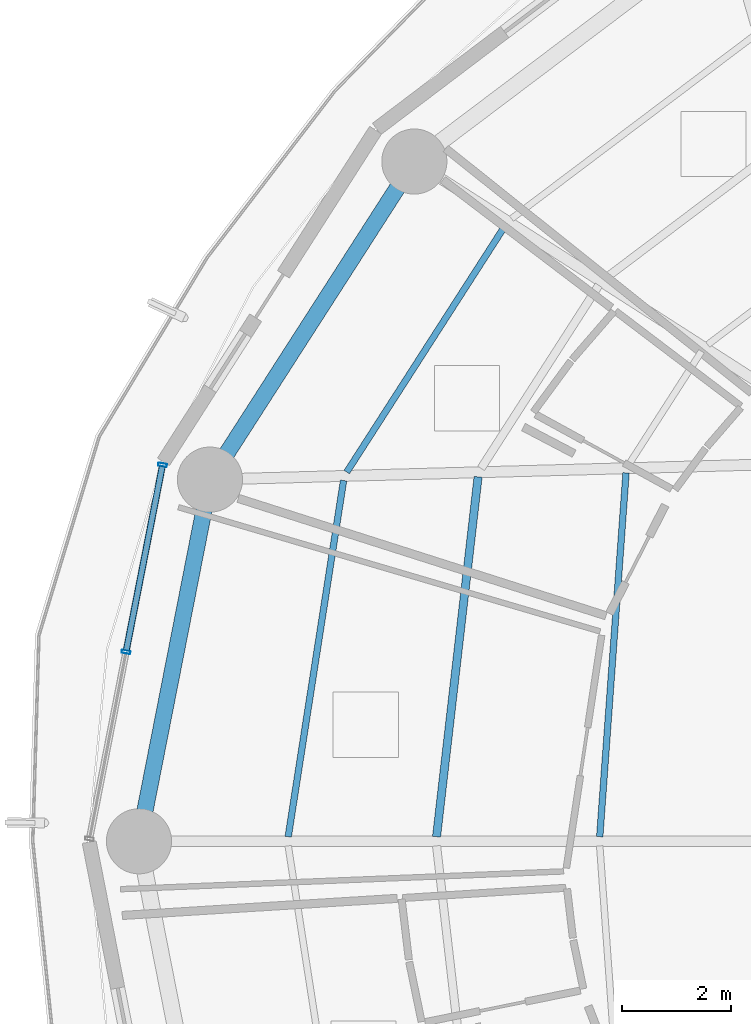
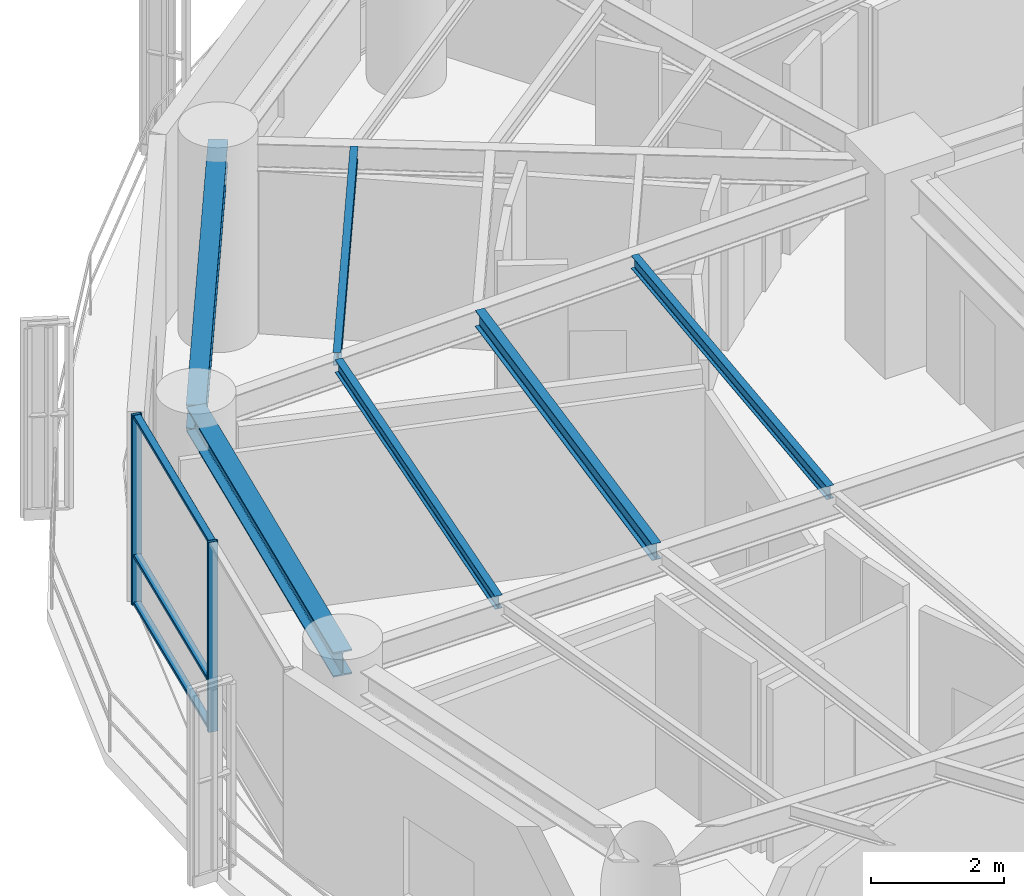
# One storey, part 8 of 27: 6 beams, 5 members, 1 element without a shape of its own.
"""IFC4 building model written with IfcOpenShell, lengths in metres."""

from ifc_helpers import new_model, si_unit, direction, frame, origin, origin_2d, place, context, subcontext, project, spatial, hollow_rectangle, i_section, extrude, material, layer, layer_set, material_profile, profile_set, type_object, element, aggregate, save


model = new_model("IFC4")

# Units and contexts
model_context = context("Model", 3, precision=1e-05, world=origin(), true_north=direction((0.0, 1.0)))
body_context = subcontext(model_context, "Body", "Model", "MODEL_VIEW")
ifc_project = project(units=[si_unit("LENGTHUNIT", "METRE"), si_unit("AREAUNIT", "SQUARE_METRE"), si_unit("VOLUMEUNIT", "CUBIC_METRE"), si_unit("PLANEANGLEUNIT", "RADIAN"), si_unit("MASSUNIT", "GRAM", prefix="KILO")], contexts=[model_context])

# Site, building, storey
site_placement = place(None, origin())
site = spatial("IfcSite", under=ifc_project, at=site_placement, CompositionType="ELEMENT")
building_placement = place(site_placement, origin())
building = spatial("IfcBuilding", under=site, at=building_placement, Name="Kelanora Arch Commons", CompositionType="ELEMENT")
storey_placement = place(building_placement, frame((0.0, 0.0, 146.85009765625)))
storey = spatial("IfcBuildingStorey", under=building, at=storey_placement, Name="L37", CompositionType="ELEMENT", Elevation=146.85009765625)

# Beams
ifc_material_1 = material(Name="Steel S355", Category="steel")
ifc_material_profile_1 = material_profile(ifc_material_1, i_section(OverallWidth=0.14990234375, OverallDepth=0.300048828125, WebThickness=0.007080078125, FlangeThickness=0.0107421875, FilletRadius=0.014892578125, at=origin_2d()), Name="IPE300")
ifc_profile_set_1 = profile_set([ifc_material_profile_1], Name="Steel S355")
beam_type_1 = type_object("IfcBeamType", Name="BM-JST-01", PredefinedType="JOIST", material=ifc_profile_set_1)
beam_1_placement = place(storey_placement, frame((58.56689453125, 64.713134765625, 3.33984375), z_axis=(-0.114667159005, -0.9934039675, 0.0), x_axis=(0.9934039675, -0.114667159005, 0.0)))
element("IfcBeam", 1, at=beam_1_placement, inside=storey, type_object=beam_type_1, Name="Secondary Chord Joist BJB-16 L37", PredefinedType="JOIST", context=body_context, shape_type="SweptSolid", body=[
    extrude(i_section(OverallWidth=0.14990234375, OverallDepth=0.300048828125, WebThickness=0.007080078125, FlangeThickness=0.0107421875, FilletRadius=0.014892578125, at=origin_2d()), origin(), (0.0, 0.0, 1.0), 6.672607421875),
])
ifc_material_profile_2 = material_profile(ifc_material_1, i_section(OverallWidth=0.1201171875, OverallDepth=0.239990234375, WebThickness=0.006103515625, FlangeThickness=0.009765625, FilletRadius=0.014892578125, at=origin_2d()), Name="IPE240")
ifc_profile_set_2 = profile_set([ifc_material_profile_2], Name="Steel S355")
beam_type_2 = type_object("IfcBeamType", Name="BM-JST-02", PredefinedType="JOIST", material=ifc_profile_set_2)
beam_2_placement = place(storey_placement, frame((59.06787109375, 69.345703125, 3.369873046875), z_axis=(-0.540581678156, -0.841291536414, 0.0), x_axis=(0.841291536414, -0.540581678156, 0.0)))
element("IfcBeam", 2, at=beam_2_placement, inside=storey, type_object=beam_type_2, Name="Secondary Chord Joist BJC-14 L37", PredefinedType="JOIST", context=body_context, shape_type="SweptSolid", body=[
    extrude(i_section(OverallWidth=0.1201171875, OverallDepth=0.239990234375, WebThickness=0.006103515625, FlangeThickness=0.009765625, FilletRadius=0.014892578125, at=origin_2d()), origin(), (0.0, 0.0, 1.0), 5.4013671875),
])
beam_3_placement = place(storey_placement, frame((61.292236328125, 64.787109375, 3.369873046875), z_axis=(-0.072117123738, -0.997396170267, 0.0), x_axis=(0.997396170267, -0.072117123738, 0.0)))
element("IfcBeam", 3, at=beam_3_placement, inside=storey, type_object=beam_type_2, Name="Secondary Chord Joist BJA-16 L37", PredefinedType="JOIST", context=body_context, shape_type="SweptSolid", body=[
    extrude(i_section(OverallWidth=0.1201171875, OverallDepth=0.239990234375, WebThickness=0.006103515625, FlangeThickness=0.009765625, FilletRadius=0.014892578125, at=origin_2d()), origin(), (0.0, 0.0, 1.0), 6.719970703125),
])
beam_4_placement = place(storey_placement, frame((56.0888671875, 64.64599609375, 3.369873046875), z_axis=(-0.153562625853, -0.988138917329, 0.0), x_axis=(0.988138917329, -0.153562625853, 0.0)))
element("IfcBeam", 4, at=beam_4_placement, inside=storey, type_object=beam_type_2, Name="Secondary Chord Joist BJC-16 L37", PredefinedType="JOIST", context=body_context, shape_type="SweptSolid", body=[
    extrude(i_section(OverallWidth=0.1201171875, OverallDepth=0.239990234375, WebThickness=0.006103515625, FlangeThickness=0.009765625, FilletRadius=0.014892578125, at=origin_2d()), origin(), (0.0, 0.0, 1.0), 6.640869140625),
])
ifc_material_profile_3 = material_profile(ifc_material_1, i_section(OverallWidth=0.300048828125, OverallDepth=0.449951171875, WebThickness=0.013916015625, FlangeThickness=0.02587890625, FilletRadius=0.027099609375, at=origin_2d()), Name="HEB450")
ifc_profile_set_3 = profile_set([ifc_material_profile_3], Name="Steel S355")
beam_type_3 = type_object("IfcBeamType", Name="BM-SPN-Z3", PredefinedType="SPANDREL", material=ifc_profile_set_3)
beam_5_placement = place(storey_placement, frame((57.39208984375, 70.521484375, 3.264892578125), z_axis=(-0.540576852469, -0.841294637196, 0.0), x_axis=(0.841294637196, -0.540576852469, 0.0)))
element("IfcBeam", 5, at=beam_5_placement, inside=storey, type_object=beam_type_3, Name="Perimeter Spandrel Beam BS-14 L37", PredefinedType="SPANDREL", context=body_context, shape_type="SweptSolid", body=[
    extrude(i_section(OverallWidth=0.300048828125, OverallDepth=0.449951171875, WebThickness=0.013916015625, FlangeThickness=0.02587890625, FilletRadius=0.027099609375, at=origin_2d()), origin(), (0.0, 0.0, 1.0), 6.964111328125),
])
beam_6_placement = place(storey_placement, frame((53.62744140625, 64.66259765625, 3.264892578125), z_axis=(-0.192553643556, -0.981286448675, 0.0), x_axis=(0.981286448675, -0.192553643556, 0.0)))
element("IfcBeam", 6, at=beam_6_placement, inside=storey, type_object=beam_type_3, Name="Perimeter Spandrel Beam BS-16 L37", PredefinedType="SPANDREL", context=body_context, shape_type="SweptSolid", body=[
    extrude(i_section(OverallWidth=0.300048828125, OverallDepth=0.449951171875, WebThickness=0.013916015625, FlangeThickness=0.02587890625, FilletRadius=0.027099609375, at=origin_2d()), origin(), (0.0, 0.0, 1.0), 6.78955078125),
])

# Curtain wall, members
ifc_material_2 = material(Name="Terracotta ceramic-fritted low-E glass and aluminium", Category="masonry")
ifc_layer = layer(ifc_material_2, 0.175048828125)
ifc_layer_set = layer_set([ifc_layer], Name="Terracotta ceramic-fritted low-E glass and aluminium")
curtain_wall_type = type_object("IfcCurtainWallType", Name="CW-SYS-02", PredefinedType="NOTDEFINED", material=ifc_layer_set)
curtain_wall_placement = place(storey_placement, origin())
curtain_wall = element("IfcCurtainWall", 7, at=curtain_wall_placement, inside=storey, type_object=curtain_wall_type, Name="Unitised Curtain Wall L37-B08", PredefinedType="NOTDEFINED")
ifc_material_3 = material(Name="Powder-coated aluminium terracotta", Category="masonry")
ifc_material_profile_4 = material_profile(ifc_material_3, hollow_rectangle(XDim=0.159912109375, YDim=0.06005859375, WallThickness=0.0048828125, InnerFilletRadius=0.0048828125, OuterFilletRadius=0.010009765625, at=origin_2d()), Name="CWM160x60")
ifc_profile_set_4 = profile_set([ifc_material_profile_4], Name="Powder-coated aluminium terracotta")
member_type_1 = type_object("IfcMemberType", Name="CWM-STD", PredefinedType="MULLION", material=ifc_profile_set_4)
member_1_placement = place(storey_placement, frame((52.754150390625, 64.93310546875, 0.0), z_axis=(0.0, 0.0, 1.0), x_axis=(0.981452557718, -0.191705182375, 0.0)))
member_1 = element("IfcMember", 8, at=member_1_placement, type_object=member_type_1, Name="CW-02 mullion 1", PredefinedType="MULLION", context=body_context, shape_type="SweptSolid", body=[
    extrude(hollow_rectangle(XDim=0.159912109375, YDim=0.06005859375, WallThickness=0.0048828125, InnerFilletRadius=0.0048828125, OuterFilletRadius=0.010009765625, at=origin_2d()), origin(), (0.0, 0.0, 1.0), 3.474853515625),
])
member_2_placement = place(storey_placement, frame((52.08154296875, 61.488525390625, 0.0), z_axis=(0.0, 0.0, 1.0), x_axis=(0.981452557718, -0.191705182375, 0.0)))
member_2 = element("IfcMember", 9, at=member_2_placement, type_object=member_type_1, Name="CW-02 mullion 2", PredefinedType="MULLION", context=body_context, shape_type="SweptSolid", body=[
    extrude(hollow_rectangle(XDim=0.159912109375, YDim=0.06005859375, WallThickness=0.0048828125, InnerFilletRadius=0.0048828125, OuterFilletRadius=0.010009765625, at=origin_2d()), origin(), (0.0, 0.0, 1.0), 3.474853515625),
])
ifc_material_profile_5 = material_profile(ifc_material_3, hollow_rectangle(XDim=0.1201171875, YDim=0.06005859375, WallThickness=0.0048828125, InnerFilletRadius=0.0048828125, OuterFilletRadius=0.010009765625, at=origin_2d()), Name="CWT120x60")
ifc_profile_set_5 = profile_set([ifc_material_profile_5], Name="Powder-coated aluminium terracotta")
member_type_2 = type_object("IfcMemberType", Name="CWT-STD", PredefinedType="USERDEFINED", material=ifc_profile_set_5)
member_3_placement = place(storey_placement, frame((52.74853515625, 64.903564453125, 0.02978515625), z_axis=(-0.191731523726, -0.981447412147, 0.0), x_axis=(0.981447412147, -0.191731523726, 0.0)))
member_3 = element("IfcMember", 10, at=member_3_placement, type_object=member_type_2, Name="CW-02 transom 1.1", ObjectType="TRANSOM", PredefinedType="USERDEFINED", context=body_context, shape_type="SweptSolid", body=[
    extrude(hollow_rectangle(XDim=0.1201171875, YDim=0.06005859375, WallThickness=0.0048828125, InnerFilletRadius=0.0048828125, OuterFilletRadius=0.010009765625, at=origin_2d()), origin(), (0.0, 0.0, 1.0), 3.449462890625),
])
member_4_placement = place(storey_placement, frame((52.74853515625, 64.903564453125, 0.89990234375), z_axis=(-0.191731523726, -0.981447412147, 0.0), x_axis=(0.981447412147, -0.191731523726, 0.0)))
member_4 = element("IfcMember", 11, at=member_4_placement, type_object=member_type_2, Name="CW-02 transom 1.2", ObjectType="TRANSOM", PredefinedType="USERDEFINED", context=body_context, shape_type="SweptSolid", body=[
    extrude(hollow_rectangle(XDim=0.1201171875, YDim=0.06005859375, WallThickness=0.0048828125, InnerFilletRadius=0.0048828125, OuterFilletRadius=0.010009765625, at=origin_2d()), origin(), (0.0, 0.0, 1.0), 3.449462890625),
])
member_5_placement = place(storey_placement, frame((52.74853515625, 64.903564453125, 3.44482421875), z_axis=(-0.191731523726, -0.981447412147, 0.0), x_axis=(0.981447412147, -0.191731523726, 0.0)))
member_5 = element("IfcMember", 12, at=member_5_placement, type_object=member_type_2, Name="CW-02 transom 1.3", ObjectType="TRANSOM", PredefinedType="USERDEFINED", context=body_context, shape_type="SweptSolid", body=[
    extrude(hollow_rectangle(XDim=0.1201171875, YDim=0.06005859375, WallThickness=0.0048828125, InnerFilletRadius=0.0048828125, OuterFilletRadius=0.010009765625, at=origin_2d()), origin(), (0.0, 0.0, 1.0), 3.449462890625),
])
aggregate(curtain_wall, [member_1, member_2, member_3, member_4, member_5])

save(model, "model.ifc")
